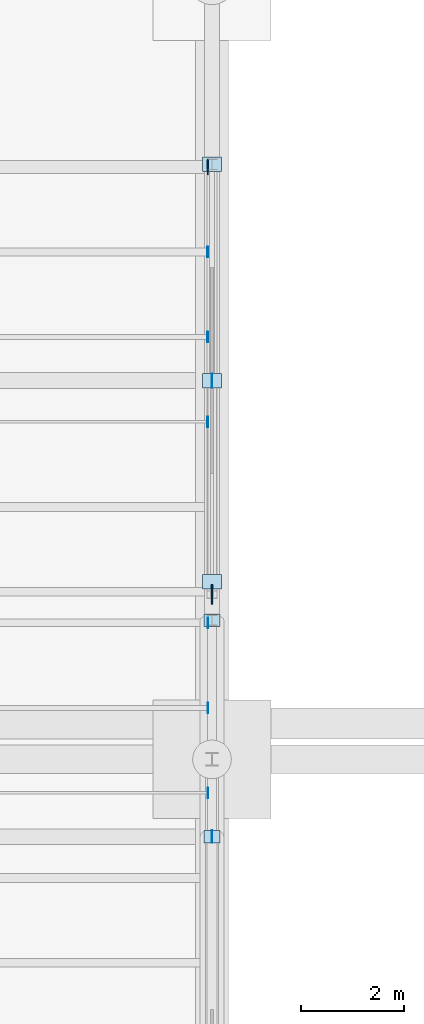
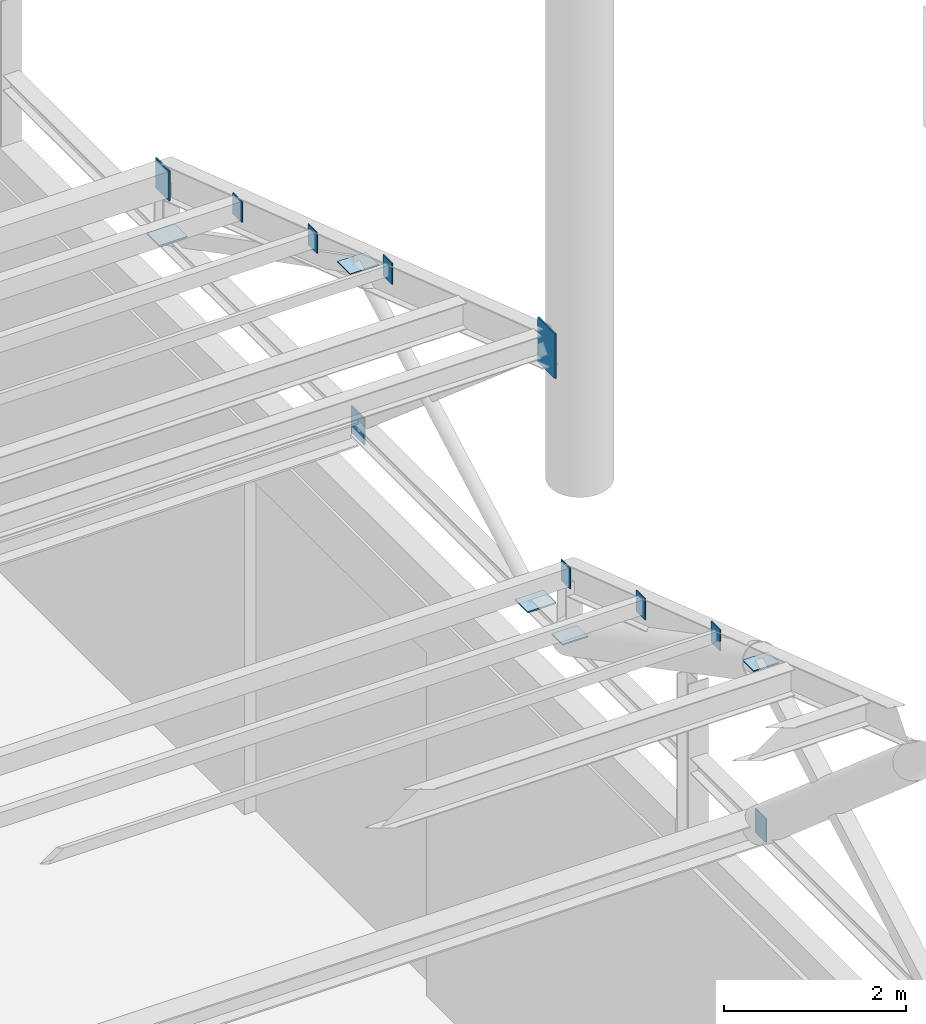
# One storey, part 233 of 285: 15 plates.
"""IFC4 building model written with IfcOpenShell, lengths in metres."""

from ifc_helpers import new_model, si_unit, direction, frame, origin, origin_2d, place, context, subcontext, project, spatial, rectangle, extrude, material, layer, layer_set, type_object, element, save


model = new_model("IFC4")

# Units and contexts
model_context = context("Model", 3, precision=1e-05, world=origin(), true_north=direction((0.0, 1.0)))
body_context = subcontext(model_context, "Body", "Model", "MODEL_VIEW")
ifc_project = project(units=[si_unit("LENGTHUNIT", "METRE"), si_unit("AREAUNIT", "SQUARE_METRE"), si_unit("VOLUMEUNIT", "CUBIC_METRE"), si_unit("PLANEANGLEUNIT", "RADIAN"), si_unit("MASSUNIT", "GRAM", prefix="KILO")], contexts=[model_context])

# Site, building, storey
site_placement = place(None, origin())
site = spatial("IfcSite", under=ifc_project, at=site_placement, CompositionType="ELEMENT")
building_placement = place(site_placement, origin())
building = spatial("IfcBuilding", under=site, at=building_placement, Name="Solanera Park Tramway Depot", CompositionType="ELEMENT")
storey_placement = place(building_placement, origin())
storey = spatial("IfcBuildingStorey", under=building, at=storey_placement, Name="L00", CompositionType="ELEMENT", Elevation=0.0)

# Plates
ifc_material_1 = material(Name="Steel AS/NZS 3679.1 Grade 350", Category="steel")
ifc_layer_1 = layer(ifc_material_1, 0.013916015625)
ifc_layer_set_1 = layer_set([ifc_layer_1], Name="Steel AS/NZS 3679.1 Grade 350")
plate_type_1 = type_object("IfcPlateType", Name="Hollow End Cap and Base Plate 280x200x14", PredefinedType="USERDEFINED", material=ifc_layer_set_1)
for number, where, z_axis, x_axis, name in (
    (1, (149.922119140625, 113.85009765625, 8.41064453125), (0.0, 0.0, 1.0), (1.0, 0.0, 0.0), "Hollow Section Welded End Cap Plate #0702"),
    (2, (149.922119140625, 115.5, 7.8251953125), (0.0, 0.0, 1.0), (1.0, 0.0, 0.0), "Hollow Section Welded End Cap Plate #0722"),
    (3, (149.922119140625, 117.14990234375, 7.23974609375), (0.0, 0.0, 1.0), (1.0, 0.0, 0.0), "Hollow Section Welded End Cap Plate #0742"),
    (4, (149.915771484375, 121.050048828125, 8.96240234375), (0.0, 0.0, 1.0), (1.0, 0.0, 0.0), "Hollow Section Welded End Cap Plate #0831"),
    (5, (149.915771484375, 122.699951171875, 8.376953125), (0.0, 0.0, 1.0), (1.0, 0.0, 0.0), "Hollow Section Welded End Cap Plate #0851"),
    (6, (149.915771484375, 124.35009765625, 7.79150390625), (0.0, 0.0, 1.0), (1.0, 0.0, 0.0), "Hollow Section Welded End Cap Plate #0871"),
):
    element("IfcPlate", number, at=place(storey_placement, frame(where, z_axis=z_axis, x_axis=x_axis)), inside=storey, type_object=plate_type_1, Name=name, ObjectType="BASE PLATE", PredefinedType="USERDEFINED", context=body_context, shape_type="SweptSolid", body=[
        extrude(rectangle(XDim=0.013916015625, YDim=0.199951171875, at=origin_2d()), origin(), (0.0, 0.0, 1.0), 0.280029296875),
    ])
ifc_material_2 = material(Name="Steel AS/NZS 3679.1 Grade 350", Category="steel")
ifc_layer_2 = layer(ifc_material_2, 0.01611328125)
ifc_layer_set_2 = layer_set([ifc_layer_2], Name="Steel AS/NZS 3679.1 Grade 350")
plate_type_2 = type_object("IfcPlateType", Name="Hollow End Cap and Base Plate 320x240x16", PredefinedType="USERDEFINED", material=ifc_layer_set_2)
plate_1_placement = place(storey_placement, frame((150.0, 113.0, 6.33984375), z_axis=(0.0, 0.0, 1.0), x_axis=(1.0, 0.0, 0.0)))
element("IfcPlate", 7, at=plate_1_placement, inside=storey, type_object=plate_type_2, Name="Sawtooth Truss Hollow End Cap #0679", ObjectType="BASE PLATE", PredefinedType="USERDEFINED", context=body_context, shape_type="SweptSolid", body=[
    extrude(rectangle(XDim=0.01611328125, YDim=0.239990234375, at=origin_2d()), origin(), (0.0, 0.0, 1.0), 0.320068359375),
])
for number, where, z_axis, x_axis, name in (
    (8, (150.0, 117.199951171875, 6.491943359375), (0.0, 0.0, 1.0), (1.0, 0.0, 0.0), "Sawtooth Truss Node Cap Plate #0680"),
    (9, (150.0, 113.0, 8.68505859375), (0.0, 0.0, 1.0), (1.0, 0.0, 0.0), "Sawtooth Truss Node Cap Plate #0681"),
):
    element("IfcPlate", number, at=place(storey_placement, frame(where, z_axis=z_axis, x_axis=x_axis)), inside=storey, type_object=plate_type_2, Name=name, ObjectType="BASE PLATE", PredefinedType="USERDEFINED", context=body_context, shape_type="SweptSolid", body=[
        extrude(rectangle(XDim=0.320068359375, YDim=0.239990234375, at=origin_2d()), origin(), (0.0, 0.0, 1.0), 0.01611328125),
    ])
ifc_material_3 = material(Name="Steel AS/NZS 3679.1 Grade 350", Category="steel")
ifc_layer_3 = layer(ifc_material_3, 0.01806640625)
ifc_layer_set_3 = layer_set([ifc_layer_3], Name="Steel AS/NZS 3679.1 Grade 350")
plate_type_3 = type_object("IfcPlateType", Name="Hollow End Cap and Base Plate 360x280x18", PredefinedType="USERDEFINED", material=ifc_layer_set_3)
plate_2_placement = place(storey_placement, frame((150.0, 121.85009765625, 6.31982421875), z_axis=(0.0, 0.0, 1.0), x_axis=(1.0, 0.0, 0.0)))
element("IfcPlate", 10, at=plate_2_placement, inside=storey, type_object=plate_type_3, Name="Sawtooth Truss Hollow End Cap #0808", ObjectType="BASE PLATE", PredefinedType="USERDEFINED", context=body_context, shape_type="SweptSolid", body=[
    extrude(rectangle(XDim=0.01806640625, YDim=0.280029296875, at=origin_2d()), origin(), (0.0, 0.0, 1.0), 0.360107421875),
])
for number, where, z_axis, x_axis, name in (
    (11, (150.0, 126.050048828125, 6.490966796875), (0.0, 0.0, 1.0), (1.0, 0.0, 0.0), "Sawtooth Truss Node Cap Plate #0809"),
    (12, (150.0, 121.85009765625, 8.658447265625), (0.0, 0.0, 1.0), (1.0, 0.0, 0.0), "Sawtooth Truss Node Cap Plate #0810"),
    (13, (150.0, 117.949951171875, 6.490966796875), (0.0, 0.0, 1.0), (1.0, 0.0, 0.0), "Sawtooth Truss Node Cap Plate #0811"),
):
    element("IfcPlate", number, at=place(storey_placement, frame(where, z_axis=z_axis, x_axis=x_axis)), inside=storey, type_object=plate_type_3, Name=name, ObjectType="BASE PLATE", PredefinedType="USERDEFINED", context=body_context, shape_type="SweptSolid", body=[
        extrude(rectangle(XDim=0.360107421875, YDim=0.280029296875, at=origin_2d()), origin(), (0.0, 0.0, 1.0), 0.01806640625),
    ])
ifc_material_4 = material(Name="Steel AS/NZS 3679.1 Grade 350", Category="steel")
ifc_layer_4 = layer(ifc_material_4, 0.02001953125)
ifc_layer_set_4 = layer_set([ifc_layer_4], Name="Steel AS/NZS 3679.1 Grade 350")
plate_type_4 = type_object("IfcPlateType", Name="Hollow End Cap and Base Plate 400x300x20", PredefinedType="USERDEFINED", material=ifc_layer_set_4)
plate_3_placement = place(storey_placement, frame((149.918701171875, 126.0, 7.11279296875), z_axis=(0.0, 0.0, 1.0), x_axis=(1.0, 0.0, 0.0)))
element("IfcPlate", 14, at=plate_3_placement, inside=storey, type_object=plate_type_4, Name="Hollow Section Welded End Cap Plate #0891", ObjectType="BASE PLATE", PredefinedType="USERDEFINED", context=body_context, shape_type="SweptSolid", body=[
    extrude(rectangle(XDim=0.02001953125, YDim=0.300048828125, at=origin_2d()), origin(), (0.0, 0.0, 1.0), 0.39990234375),
])
ifc_material_5 = material(Name="Steel AS/NZS 3679.1 Grade 350", Category="steel")
ifc_layer_5 = layer(ifc_material_5, 0.02001953125)
ifc_layer_set_5 = layer_set([ifc_layer_5], Name="Steel AS/NZS 3679.1 Grade 350")
plate_type_5 = type_object("IfcPlateType", Name="Truss Node Gusset Stiffener 600x380x20", PredefinedType="SHEET", material=ifc_layer_set_5)
plate_4_placement = place(storey_placement, frame((150.0, 117.699951171875, 9.756103515625), z_axis=(0.0, 0.0, 1.0), x_axis=(1.0, 0.0, 0.0)))
element("IfcPlate", 15, at=plate_4_placement, inside=storey, type_object=plate_type_5, Name="Sawtooth Truss Apex Gusset Plate #0807", PredefinedType="SHEET", context=body_context, shape_type="SweptSolid", body=[
    extrude(rectangle(XDim=0.02001953125, YDim=0.3798828125, at=origin_2d()), origin(), (0.0, 0.0, 1.0), 0.60009765625),
])

save(model, "model.ifc")
